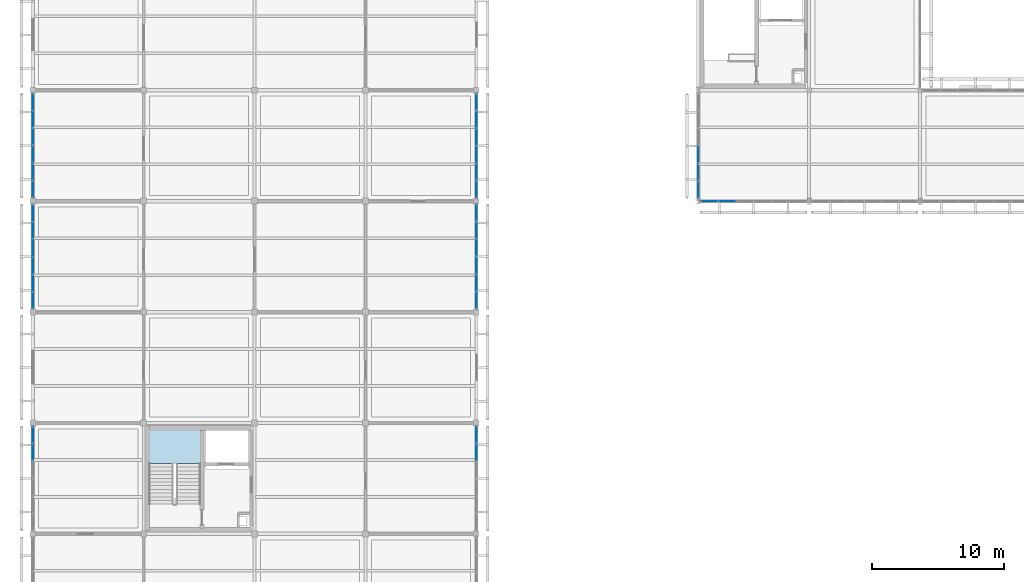
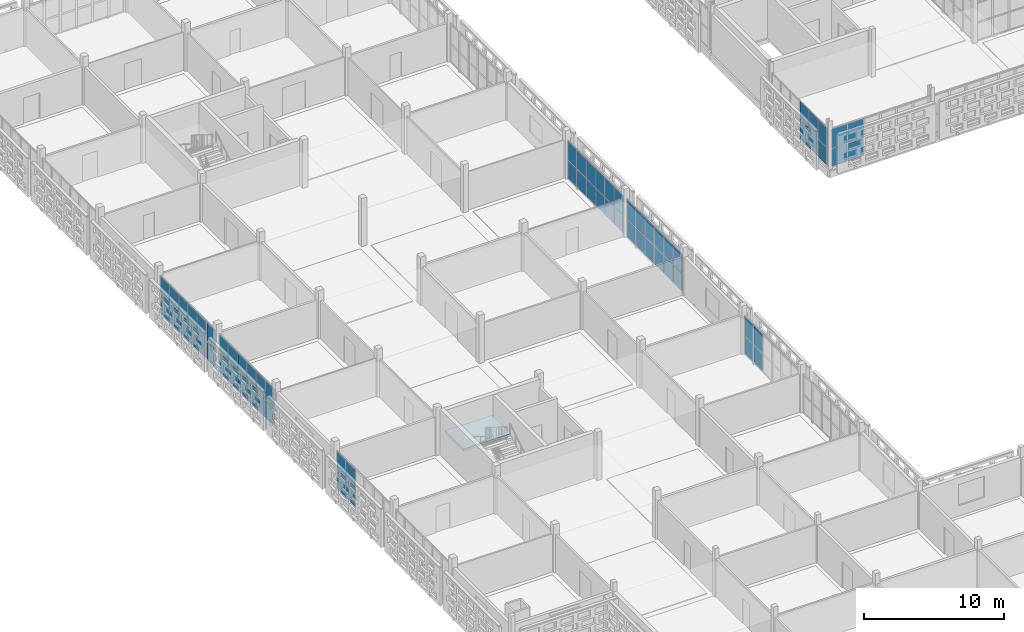
# One storey, part 73 of 140: 66 plates, 1 slab, 9 elements without a shape of their own.
"""IFC4 building model written with IfcOpenShell, lengths in metres."""

import ifcopenshell
import ifcopenshell.guid

model = None  # the IFC model being written
_history = None  # IfcOwnerHistory: only IFC2X3 demands one
_inside = {}  # id of a spatial element -> (the spatial element, [elements in it])
_under = {}  # id of a project, library or spatial element -> (it, [spatial elements below it])
_declared = {}  # id of a project -> (the project, [libraries it declares])
_typed = {}  # id of a type object -> (the type object, [elements of that type])
_made_of = {}  # id of a material, layer set ... -> (it, [elements and type objects made of it])


def new_model(schema):
    """Start an empty IFC model of exactly this schema.

    Asked for "IFC4X3", IfcOpenShell would pick the latest addendum, in which some entities
    have other attributes; the version numbers below select the first issue.
    IFC2X3 requires an IfcOwnerHistory on every rooted entity: one is made here for all.
    """
    global model, _history
    if schema == "IFC4X3":
        model = ifcopenshell.file(schema_version=(4, 3, 0, 0))
    else:
        model = ifcopenshell.file(schema=schema)
    _inside.clear()
    _under.clear()
    _declared.clear()
    _typed.clear()
    _made_of.clear()
    _history = None
    if model.schema == "IFC2X3":
        org = make("IfcOrganization", Name="unknown")
        user = make(
            "IfcPersonAndOrganization",
            ThePerson=make("IfcPerson", FamilyName="unknown"),
            TheOrganization=org,
        )
        app = make(
            "IfcApplication",
            ApplicationDeveloper=org,
            Version="unknown",
            ApplicationFullName="unknown",
            ApplicationIdentifier="unknown",
        )
        _history = make(
            "IfcOwnerHistory",
            OwningUser=user,
            OwningApplication=app,
            ChangeAction="ADDED",
            CreationDate=0,
        )
    return model


def make(cls, **values):
    """One entity of the class cls with the attributes given. An attribute that is None is left unset."""
    return model.create_entity(
        cls, **{name: value for name, value in values.items() if value is not None}
    )


def rooted(cls, **values):
    """An entity with a GlobalId (a new one), such as an element, a storey or a relation."""
    return make(cls, GlobalId=ifcopenshell.guid.new(), OwnerHistory=_history, **values)


def si_unit(unit_type, name, prefix=None):
    """IfcSIUnit, for example si_unit("LENGTHUNIT", "METRE", prefix="MILLI")."""
    return make("IfcSIUnit", UnitType=unit_type, Prefix=prefix, Name=name)


def assignment(units):
    """IfcUnitAssignment: the units of a project."""
    return None if units is None else make("IfcUnitAssignment", Units=units)


def point(xyz):
    """IfcCartesianPoint."""
    return None if xyz is None else make("IfcCartesianPoint", Coordinates=xyz)


def direction(xyz):
    """IfcDirection."""
    return None if xyz is None else make("IfcDirection", DirectionRatios=xyz)


def frame(location, z_axis=None, x_axis=None):
    """IfcAxis2Placement3D, a coordinate frame: its origin and axes. An axis left out is left unset."""
    return make(
        "IfcAxis2Placement3D",
        Location=point(location),
        Axis=direction(z_axis),
        RefDirection=direction(x_axis),
    )


def frame_2d(location, x_axis=None):
    """IfcAxis2Placement2D, a coordinate frame in the plane: its origin and x axis."""
    return make(
        "IfcAxis2Placement2D", Location=point(location), RefDirection=direction(x_axis)
    )


def origin():
    """The frame at (0, 0, 0) with its axes left unset."""
    return frame((0.0, 0.0, 0.0))


def origin_2d():
    """The frame at (0, 0) in the plane with its x axis left unset."""
    return frame_2d((0.0, 0.0))


def place(relative_to, where):
    """IfcLocalPlacement: puts the frame where relative to a parent placement (None: the world)."""
    return make(
        "IfcLocalPlacement", PlacementRelTo=relative_to, RelativePlacement=where
    )


def context(
    kind, dimensions, precision=None, world=None, true_north=None, identifier=None
):
    """IfcGeometricRepresentationContext, for example the 3D "Model" context."""
    return make(
        "IfcGeometricRepresentationContext",
        ContextIdentifier=identifier,
        ContextType=kind,
        CoordinateSpaceDimension=dimensions,
        Precision=precision,
        WorldCoordinateSystem=world,
        TrueNorth=true_north,
    )


def subcontext(parent, identifier, kind, view, scale=None):
    """IfcGeometricRepresentationSubContext, for example "Body" below "Model"."""
    return make(
        "IfcGeometricRepresentationSubContext",
        ContextIdentifier=identifier,
        ContextType=kind,
        ParentContext=parent,
        TargetScale=scale,
        TargetView=view,
    )


def project(units=None, contexts=None):
    """IfcProject with its units and contexts."""
    return rooted(
        "IfcProject",
        Name="project",
        RepresentationContexts=contexts,
        UnitsInContext=assignment(units),
    )


def spatial(cls, under=None, at=None, **own):
    """A site, building, storey or space (cls), placed at a placement, below another one or the project."""
    s = rooted(cls, ObjectPlacement=at, **own)
    if under is not None:
        _under.setdefault(under.id(), (under, []))[1].append(s)
    return s


def polyline(points):
    """IfcPolyline through the points."""
    return make("IfcPolyline", Points=[point(p) for p in points])


def profile(cls, at=None, kind="AREA", **sizes):
    """A parametric profile (cls). Its sizes go by their IFC names, for example OverallWidth=200.0."""
    return make(cls, ProfileType=kind, Position=at, **sizes)


def rectangle(**sizes):
    """IfcRectangleProfileDef."""
    return profile("IfcRectangleProfileDef", **sizes)


def outline(outer, holes=None, kind="AREA"):
    """IfcArbitraryClosedProfileDef: a profile drawn as a closed curve; with holes, ...WithVoids."""
    if holes is None:
        return make("IfcArbitraryClosedProfileDef", ProfileType=kind, OuterCurve=outer)
    return make(
        "IfcArbitraryProfileDefWithVoids",
        ProfileType=kind,
        OuterCurve=outer,
        InnerCurves=holes,
    )


def extrude(swept, where, along, depth):
    """IfcExtrudedAreaSolid: the profile swept, set in the frame where, extruded along a direction by depth."""
    return make(
        "IfcExtrudedAreaSolid",
        SweptArea=swept,
        Position=where,
        ExtrudedDirection=direction(along),
        Depth=depth,
    )


def shape(context_of_items, identifier, shape_type, items):
    """IfcShapeRepresentation: the items that make up one representation, for example the "Body"."""
    return make(
        "IfcShapeRepresentation",
        ContextOfItems=context_of_items,
        RepresentationIdentifier=identifier,
        RepresentationType=shape_type,
        Items=items,
    )


def material(Name=None, Category=None):
    """IfcMaterial."""
    return make("IfcMaterial", Name=Name, Category=Category)


def layer(
    of_material, thickness, ventilated=None, Name=None, Category=None, Priority=None
):
    """IfcMaterialLayer: one layer of a wall or slab, of a material (None: an air gap)."""
    return make(
        "IfcMaterialLayer",
        Material=of_material,
        LayerThickness=thickness,
        IsVentilated=ventilated,
        Name=Name,
        Category=Category,
        Priority=Priority,
    )


def layer_set(layers, Name=None):
    """IfcMaterialLayerSet."""
    return make("IfcMaterialLayerSet", MaterialLayers=layers, LayerSetName=Name)


def made_of(thing, what):
    """Note that an element or type object is made of a material, layer set ...; save() writes the relation."""
    if what is not None:
        _made_of.setdefault(what.id(), (what, []))[1].append(thing)
    return thing


def type_object(cls, material=None, **own):
    """A type object (cls), such as IfcWallType, which elements share."""
    return made_of(rooted(cls, **own), material)


def element(
    cls,
    number,
    at=None,
    inside=None,
    cuts=None,
    type_object=None,
    material=None,
    context=None,
    identifier="Body",
    shape_type=None,
    held_by="IfcProductDefinitionShape",
    body=None,
    shapes=None,
    **own,
):
    """One element of the class cls, such as IfcWall. Its Tag is "e" and its number.

    at: its placement. inside: the storey or other place that contains it. cuts: it is an
    opening in that element (IfcRelVoidsElement). A single representation is given by context,
    identifier, shape_type and body (its items); several are given by shapes. held_by: the class
    of the entity that holds the representations. save() writes the other relations.
    """
    e = rooted(cls, Tag="e%d" % number, ObjectPlacement=at, **own)
    if body is not None:
        shapes = [shape(context, identifier, shape_type, body)]
    if shapes is not None:
        e.Representation = make(held_by, Representations=shapes)
    if inside is not None:
        _inside.setdefault(inside.id(), (inside, []))[1].append(e)
    if cuts is not None:
        rooted(
            "IfcRelVoidsElement", RelatingBuildingElement=cuts, RelatedOpeningElement=e
        )
    if type_object is not None:
        _typed.setdefault(type_object.id(), (type_object, []))[1].append(e)
    return made_of(e, material)


def aggregate(whole, parts):
    """IfcRelAggregates: a whole, such as a stair, and the parts it consists of."""
    return rooted("IfcRelAggregates", RelatingObject=whole, RelatedObjects=parts)


def save(model, path):
    """Write the relations noted so far, then the file.

    IfcRelAggregates (storeys below a building ...), IfcRelContainedInSpatialStructure (elements
    in a storey), IfcRelDefinesByType, IfcRelAssociatesMaterial and IfcRelDeclares: one each for
    every whole, place, type object, material and project.
    """
    for whole, parts in _under.values():
        aggregate(whole, parts)
    for where, things in _inside.values():
        rooted(
            "IfcRelContainedInSpatialStructure",
            RelatedElements=things,
            RelatingStructure=where,
        )
    for kind, things in _typed.values():
        rooted("IfcRelDefinesByType", RelatedObjects=things, RelatingType=kind)
    for what, things in _made_of.values():
        rooted("IfcRelAssociatesMaterial", RelatedObjects=things, RelatingMaterial=what)
    for by, libraries in _declared.values():
        rooted("IfcRelDeclares", RelatingContext=by, RelatedDefinitions=libraries)
    model.write(path)


model = new_model("IFC4")

# Units and contexts
model_context = context("Model", 3, precision=1e-05, world=origin(), true_north=direction((0.0, 1.0)))
body_context = subcontext(model_context, "Body", "Model", "MODEL_VIEW")
ifc_project = project(units=[si_unit("LENGTHUNIT", "METRE"), si_unit("AREAUNIT", "SQUARE_METRE"), si_unit("VOLUMEUNIT", "CUBIC_METRE"), si_unit("PLANEANGLEUNIT", "RADIAN"), si_unit("MASSUNIT", "GRAM", prefix="KILO")], contexts=[model_context])

# Site, building, storey
site_placement = place(None, origin())
site = spatial("IfcSite", under=ifc_project, at=site_placement, CompositionType="ELEMENT")
building_placement = place(site_placement, origin())
building = spatial("IfcBuilding", under=site, at=building_placement, Name="Varnapada Polytechnic", CompositionType="ELEMENT")
storey_placement = place(building_placement, frame((0.0, 0.0, 13.800048828125)))
storey = spatial("IfcBuildingStorey", under=building, at=storey_placement, Name="L03", CompositionType="ELEMENT", Elevation=13.800048828125)

# Curtain wall, plates
ifc_material_1 = material(Name="Double low-E laminated glass", Category="glass")
ifc_layer_1 = layer(ifc_material_1, 0.159912109375)
ifc_layer_set_1 = layer_set([ifc_layer_1], Name="Double low-E laminated glass")
curtain_wall_type_1 = type_object("IfcCurtainWallType", Name="Curtain Wall CW-01", PredefinedType="NOTDEFINED", material=ifc_layer_set_1)
curtain_wall_1_placement = place(storey_placement, origin())
curtain_wall_1 = element("IfcCurtainWall", 1, at=curtain_wall_1_placement, inside=storey, type_object=curtain_wall_type_1, Name="L03 unitised curtain wall CW-01 (225)", PredefinedType="NOTDEFINED")
ifc_layer_2 = layer(ifc_material_1, 0.028076171875)
ifc_layer_set_2 = layer_set([ifc_layer_2], Name="Double low-E laminated glass")
plate_type_1 = type_object("IfcPlateType", Name="Curtain Panel PNL-01", PredefinedType="CURTAIN_PANEL", material=ifc_layer_set_2)
plate_1_placement = place(storey_placement, frame((52.574951171875, 84.0, 0.06005859375), z_axis=(0.0, 0.0, 1.0), x_axis=(-1.0, 0.0, 0.0)))
plate_1 = element("IfcPlate", 2, at=plate_1_placement, type_object=plate_type_1, Name="CW-01 panel 5.1", PredefinedType="CURTAIN_PANEL", context=body_context, shape_type="SweptSolid", body=[
    extrude(rectangle(XDim=1.2900390625, YDim=0.028076171875, at=origin_2d()), origin(), (0.0, 0.0, 1.0), 1.522705078125),
])
plate_2_placement = place(storey_placement, frame((52.574951171875, 84.0, 1.642822265625), z_axis=(0.0, 0.0, 1.0), x_axis=(-1.0, 0.0, 0.0)))
plate_2 = element("IfcPlate", 3, at=plate_2_placement, type_object=plate_type_1, Name="CW-01 panel 5.2", PredefinedType="CURTAIN_PANEL", context=body_context, shape_type="SweptSolid", body=[
    extrude(rectangle(XDim=1.2900390625, YDim=0.028076171875, at=origin_2d()), origin(), (0.0, 0.0, 1.0), 1.6572265625),
])
plate_3_placement = place(storey_placement, frame((51.239990234375, 84.0, 0.06005859375), z_axis=(0.0, 0.0, 1.0), x_axis=(-1.0, 0.0, 0.0)))
plate_3 = element("IfcPlate", 4, at=plate_3_placement, type_object=plate_type_1, Name="CW-01 panel 6.1", PredefinedType="CURTAIN_PANEL", context=body_context, shape_type="SweptSolid", body=[
    extrude(rectangle(XDim=1.260009765625, YDim=0.028076171875, at=origin_2d()), origin(), (0.0, 0.0, 1.0), 1.522705078125),
])
plate_4_placement = place(storey_placement, frame((51.239990234375, 84.0, 1.642822265625), z_axis=(0.0, 0.0, 1.0), x_axis=(-1.0, 0.0, 0.0)))
plate_4 = element("IfcPlate", 5, at=plate_4_placement, type_object=plate_type_1, Name="CW-01 panel 6.2", PredefinedType="CURTAIN_PANEL", context=body_context, shape_type="SweptSolid", body=[
    extrude(rectangle(XDim=1.260009765625, YDim=0.028076171875, at=origin_2d()), origin(), (0.0, 0.0, 1.0), 1.6572265625),
])
aggregate(curtain_wall_1, [plate_1, plate_2, plate_3, plate_4])

ifc_layer_3 = layer(ifc_material_1, 0.159912109375)
ifc_layer_set_3 = layer_set([ifc_layer_3], Name="Double low-E laminated glass")
curtain_wall_type_2 = type_object("IfcCurtainWallType", Name="Curtain Wall CW-02", PredefinedType="NOTDEFINED", material=ifc_layer_set_3)
curtain_wall_2_placement = place(storey_placement, origin())
curtain_wall_2 = element("IfcCurtainWall", 6, at=curtain_wall_2_placement, inside=storey, type_object=curtain_wall_type_2, Name="L03 unitised curtain wall CW-02 (226)", PredefinedType="NOTDEFINED")
plate_5_placement = place(storey_placement, frame((50.39990234375, 84.879638671875, 0.06005859375), z_axis=(0.0, 0.0, 1.0), x_axis=(0.0, 1.0, 0.0)))
plate_5 = element("IfcPlate", 7, at=plate_5_placement, type_object=plate_type_1, Name="CW-02 panel 1.1", PredefinedType="CURTAIN_PANEL", context=body_context, shape_type="SweptSolid", body=[
    extrude(rectangle(XDim=1.2392578125, YDim=0.028076171875, at=origin_2d()), origin(), (0.0, 0.0, 1.0), 1.522705078125),
])
plate_6_placement = place(storey_placement, frame((50.39990234375, 84.879638671875, 1.642822265625), z_axis=(0.0, 0.0, 1.0), x_axis=(0.0, 1.0, 0.0)))
plate_6 = element("IfcPlate", 8, at=plate_6_placement, type_object=plate_type_1, Name="CW-02 panel 1.2", PredefinedType="CURTAIN_PANEL", context=body_context, shape_type="SweptSolid", body=[
    extrude(rectangle(XDim=1.2392578125, YDim=0.028076171875, at=origin_2d()), origin(), (0.0, 0.0, 1.0), 1.6572265625),
])
plate_7_placement = place(storey_placement, frame((50.39990234375, 86.19384765625, 0.06005859375), z_axis=(0.0, 0.0, 1.0), x_axis=(0.0, 1.0, 0.0)))
plate_7 = element("IfcPlate", 9, at=plate_7_placement, type_object=plate_type_1, Name="CW-02 panel 2.1", PredefinedType="CURTAIN_PANEL", context=body_context, shape_type="SweptSolid", body=[
    extrude(rectangle(XDim=1.269287109375, YDim=0.028076171875, at=origin_2d()), origin(), (0.0, 0.0, 1.0), 1.522705078125),
])
plate_8_placement = place(storey_placement, frame((50.39990234375, 86.19384765625, 1.642822265625), z_axis=(0.0, 0.0, 1.0), x_axis=(0.0, 1.0, 0.0)))
plate_8 = element("IfcPlate", 10, at=plate_8_placement, type_object=plate_type_1, Name="CW-02 panel 2.2", PredefinedType="CURTAIN_PANEL", context=body_context, shape_type="SweptSolid", body=[
    extrude(rectangle(XDim=1.269287109375, YDim=0.028076171875, at=origin_2d()), origin(), (0.0, 0.0, 1.0), 1.6572265625),
])
plate_9_placement = place(storey_placement, frame((50.39990234375, 87.52294921875, 0.06005859375), z_axis=(0.0, 0.0, 1.0), x_axis=(0.0, 1.0, 0.0)))
plate_9 = element("IfcPlate", 11, at=plate_9_placement, type_object=plate_type_1, Name="CW-02 panel 3.1", PredefinedType="CURTAIN_PANEL", context=body_context, shape_type="SweptSolid", body=[
    extrude(rectangle(XDim=1.269287109375, YDim=0.028076171875, at=origin_2d()), origin(), (0.0, 0.0, 1.0), 1.522705078125),
])
plate_10_placement = place(storey_placement, frame((50.39990234375, 87.52294921875, 1.642822265625), z_axis=(0.0, 0.0, 1.0), x_axis=(0.0, 1.0, 0.0)))
plate_10 = element("IfcPlate", 12, at=plate_10_placement, type_object=plate_type_1, Name="CW-02 panel 3.2", PredefinedType="CURTAIN_PANEL", context=body_context, shape_type="SweptSolid", body=[
    extrude(rectangle(XDim=1.269287109375, YDim=0.028076171875, at=origin_2d()), origin(), (0.0, 0.0, 1.0), 1.6572265625),
])
aggregate(curtain_wall_2, [plate_5, plate_6, plate_7, plate_8, plate_9, plate_10])

ifc_layer_4 = layer(ifc_material_1, 0.179931640625)
ifc_layer_set_4 = layer_set([ifc_layer_4], Name="Double low-E laminated glass")
curtain_wall_type_3 = type_object("IfcCurtainWallType", Name="Curtain Wall CW-03", PredefinedType="NOTDEFINED", material=ifc_layer_set_4)
curtain_wall_3_placement = place(storey_placement, origin())
curtain_wall_3 = element("IfcCurtainWall", 13, at=curtain_wall_3_placement, inside=storey, type_object=curtain_wall_type_3, Name="L03 unitised curtain wall CW-03 (206)", PredefinedType="NOTDEFINED")
ifc_layer_5 = layer(ifc_material_1, 0.031982421875)
ifc_layer_set_5 = layer_set([ifc_layer_5], Name="Double low-E laminated glass")
plate_type_2 = type_object("IfcPlateType", Name="Curtain Panel PNL-02", PredefinedType="CURTAIN_PANEL", material=ifc_layer_set_5)
plate_11_placement = place(storey_placement, frame((0.0, 64.982421875, 0.06494140625), z_axis=(0.0, 0.0, 1.0), x_axis=(0.0, 1.0, 0.0)))
plate_11 = element("IfcPlate", 14, at=plate_11_placement, type_object=plate_type_2, Name="CW-03 panel 5.1", PredefinedType="CURTAIN_PANEL", context=body_context, shape_type="SweptSolid", body=[
    extrude(rectangle(XDim=1.260009765625, YDim=0.031982421875, at=origin_2d()), origin(), (0.0, 0.0, 1.0), 1.515380859375),
])
plate_12_placement = place(storey_placement, frame((0.0, 64.982421875, 1.6455078125), z_axis=(0.0, 0.0, 1.0), x_axis=(0.0, 1.0, 0.0)))
plate_12 = element("IfcPlate", 15, at=plate_12_placement, type_object=plate_type_2, Name="CW-03 panel 5.2", PredefinedType="CURTAIN_PANEL", context=body_context, shape_type="SweptSolid", body=[
    extrude(rectangle(XDim=1.260009765625, YDim=0.031982421875, at=origin_2d()), origin(), (0.0, 0.0, 1.0), 1.649658203125),
])
plate_13_placement = place(storey_placement, frame((0.0, 66.291259765625, 0.06494140625), z_axis=(0.0, 0.0, 1.0), x_axis=(0.0, 1.0, 0.0)))
plate_13 = element("IfcPlate", 16, at=plate_13_placement, type_object=plate_type_2, Name="CW-03 panel 6.1", PredefinedType="CURTAIN_PANEL", context=body_context, shape_type="SweptSolid", body=[
    extrude(rectangle(XDim=1.2275390625, YDim=0.031982421875, at=origin_2d()), origin(), (0.0, 0.0, 1.0), 1.515380859375),
])
plate_14_placement = place(storey_placement, frame((0.0, 66.291259765625, 1.6455078125), z_axis=(0.0, 0.0, 1.0), x_axis=(0.0, 1.0, 0.0)))
plate_14 = element("IfcPlate", 17, at=plate_14_placement, type_object=plate_type_2, Name="CW-03 panel 6.2", PredefinedType="CURTAIN_PANEL", context=body_context, shape_type="SweptSolid", body=[
    extrude(rectangle(XDim=1.2275390625, YDim=0.031982421875, at=origin_2d()), origin(), (0.0, 0.0, 1.0), 1.649658203125),
])
aggregate(curtain_wall_3, [plate_11, plate_12, plate_13, plate_14])

curtain_wall_4_placement = place(storey_placement, origin())
curtain_wall_4 = element("IfcCurtainWall", 18, at=curtain_wall_4_placement, inside=storey, type_object=curtain_wall_type_3, Name="L03 unitised curtain wall CW-03 (207)", PredefinedType="NOTDEFINED")
plate_15_placement = place(storey_placement, frame((0.0, 76.498779296875, 0.06494140625), z_axis=(0.0, 0.0, 1.0), x_axis=(0.0, 1.0, 0.0)))
plate_15 = element("IfcPlate", 19, at=plate_15_placement, type_object=plate_type_2, Name="CW-03 panel 1.1", PredefinedType="CURTAIN_PANEL", context=body_context, shape_type="SweptSolid", body=[
    extrude(rectangle(XDim=1.2275390625, YDim=0.031982421875, at=origin_2d()), origin(), (0.0, 0.0, 1.0), 1.515380859375),
])
plate_16_placement = place(storey_placement, frame((0.0, 76.498779296875, 1.6455078125), z_axis=(0.0, 0.0, 1.0), x_axis=(0.0, 1.0, 0.0)))
plate_16 = element("IfcPlate", 20, at=plate_16_placement, type_object=plate_type_2, Name="CW-03 panel 1.2", PredefinedType="CURTAIN_PANEL", context=body_context, shape_type="SweptSolid", body=[
    extrude(rectangle(XDim=1.2275390625, YDim=0.031982421875, at=origin_2d()), origin(), (0.0, 0.0, 1.0), 1.649658203125),
])
plate_17_placement = place(storey_placement, frame((0.0, 77.8076171875, 0.06494140625), z_axis=(0.0, 0.0, 1.0), x_axis=(0.0, 1.0, 0.0)))
plate_17 = element("IfcPlate", 21, at=plate_17_placement, type_object=plate_type_2, Name="CW-03 panel 2.1", PredefinedType="CURTAIN_PANEL", context=body_context, shape_type="SweptSolid", body=[
    extrude(rectangle(XDim=1.260009765625, YDim=0.031982421875, at=origin_2d()), origin(), (0.0, 0.0, 1.0), 1.515380859375),
])
plate_18_placement = place(storey_placement, frame((0.0, 77.8076171875, 1.6455078125), z_axis=(0.0, 0.0, 1.0), x_axis=(0.0, 1.0, 0.0)))
plate_18 = element("IfcPlate", 22, at=plate_18_placement, type_object=plate_type_2, Name="CW-03 panel 2.2", PredefinedType="CURTAIN_PANEL", context=body_context, shape_type="SweptSolid", body=[
    extrude(rectangle(XDim=1.260009765625, YDim=0.031982421875, at=origin_2d()), origin(), (0.0, 0.0, 1.0), 1.649658203125),
])
plate_19_placement = place(storey_placement, frame((0.0, 79.132568359375, 0.06494140625), z_axis=(0.0, 0.0, 1.0), x_axis=(0.0, 1.0, 0.0)))
plate_19 = element("IfcPlate", 23, at=plate_19_placement, type_object=plate_type_2, Name="CW-03 panel 3.1", PredefinedType="CURTAIN_PANEL", context=body_context, shape_type="SweptSolid", body=[
    extrude(rectangle(XDim=1.260009765625, YDim=0.031982421875, at=origin_2d()), origin(), (0.0, 0.0, 1.0), 1.515380859375),
])
plate_20_placement = place(storey_placement, frame((0.0, 79.132568359375, 1.6455078125), z_axis=(0.0, 0.0, 1.0), x_axis=(0.0, 1.0, 0.0)))
plate_20 = element("IfcPlate", 24, at=plate_20_placement, type_object=plate_type_2, Name="CW-03 panel 3.2", PredefinedType="CURTAIN_PANEL", context=body_context, shape_type="SweptSolid", body=[
    extrude(rectangle(XDim=1.260009765625, YDim=0.031982421875, at=origin_2d()), origin(), (0.0, 0.0, 1.0), 1.649658203125),
])
plate_21_placement = place(storey_placement, frame((0.0, 80.45751953125, 0.06494140625), z_axis=(0.0, 0.0, 1.0), x_axis=(0.0, 1.0, 0.0)))
plate_21 = element("IfcPlate", 25, at=plate_21_placement, type_object=plate_type_2, Name="CW-03 panel 4.1", PredefinedType="CURTAIN_PANEL", context=body_context, shape_type="SweptSolid", body=[
    extrude(rectangle(XDim=1.260009765625, YDim=0.031982421875, at=origin_2d()), origin(), (0.0, 0.0, 1.0), 1.515380859375),
])
plate_22_placement = place(storey_placement, frame((0.0, 80.45751953125, 1.6455078125), z_axis=(0.0, 0.0, 1.0), x_axis=(0.0, 1.0, 0.0)))
plate_22 = element("IfcPlate", 26, at=plate_22_placement, type_object=plate_type_2, Name="CW-03 panel 4.2", PredefinedType="CURTAIN_PANEL", context=body_context, shape_type="SweptSolid", body=[
    extrude(rectangle(XDim=1.260009765625, YDim=0.031982421875, at=origin_2d()), origin(), (0.0, 0.0, 1.0), 1.649658203125),
])
plate_23_placement = place(storey_placement, frame((0.0, 81.782470703125, 0.06494140625), z_axis=(0.0, 0.0, 1.0), x_axis=(0.0, 1.0, 0.0)))
plate_23 = element("IfcPlate", 27, at=plate_23_placement, type_object=plate_type_2, Name="CW-03 panel 5.1", PredefinedType="CURTAIN_PANEL", context=body_context, shape_type="SweptSolid", body=[
    extrude(rectangle(XDim=1.260009765625, YDim=0.031982421875, at=origin_2d()), origin(), (0.0, 0.0, 1.0), 1.515380859375),
])
plate_24_placement = place(storey_placement, frame((0.0, 81.782470703125, 1.6455078125), z_axis=(0.0, 0.0, 1.0), x_axis=(0.0, 1.0, 0.0)))
plate_24 = element("IfcPlate", 28, at=plate_24_placement, type_object=plate_type_2, Name="CW-03 panel 5.2", PredefinedType="CURTAIN_PANEL", context=body_context, shape_type="SweptSolid", body=[
    extrude(rectangle(XDim=1.260009765625, YDim=0.031982421875, at=origin_2d()), origin(), (0.0, 0.0, 1.0), 1.649658203125),
])
plate_25_placement = place(storey_placement, frame((0.0, 83.09130859375, 0.06494140625), z_axis=(0.0, 0.0, 1.0), x_axis=(0.0, 1.0, 0.0)))
plate_25 = element("IfcPlate", 29, at=plate_25_placement, type_object=plate_type_2, Name="CW-03 panel 6.1", PredefinedType="CURTAIN_PANEL", context=body_context, shape_type="SweptSolid", body=[
    extrude(rectangle(XDim=1.2275390625, YDim=0.031982421875, at=origin_2d()), origin(), (0.0, 0.0, 1.0), 1.515380859375),
])
plate_26_placement = place(storey_placement, frame((0.0, 83.09130859375, 1.6455078125), z_axis=(0.0, 0.0, 1.0), x_axis=(0.0, 1.0, 0.0)))
plate_26 = element("IfcPlate", 30, at=plate_26_placement, type_object=plate_type_2, Name="CW-03 panel 6.2", PredefinedType="CURTAIN_PANEL", context=body_context, shape_type="SweptSolid", body=[
    extrude(rectangle(XDim=1.2275390625, YDim=0.031982421875, at=origin_2d()), origin(), (0.0, 0.0, 1.0), 1.649658203125),
])
aggregate(curtain_wall_4, [plate_15, plate_16, plate_17, plate_18, plate_19, plate_20, plate_21, plate_22, plate_23, plate_24, plate_25, plate_26])

curtain_wall_5_placement = place(storey_placement, origin())
curtain_wall_5 = element("IfcCurtainWall", 31, at=curtain_wall_5_placement, inside=storey, type_object=curtain_wall_type_3, Name="L03 unitised curtain wall CW-03 (208)", PredefinedType="NOTDEFINED")
plate_27_placement = place(storey_placement, frame((0.0, 84.90869140625, 0.06494140625), z_axis=(0.0, 0.0, 1.0), x_axis=(0.0, 1.0, 0.0)))
plate_27 = element("IfcPlate", 32, at=plate_27_placement, type_object=plate_type_2, Name="CW-03 panel 1.1", PredefinedType="CURTAIN_PANEL", context=body_context, shape_type="SweptSolid", body=[
    extrude(rectangle(XDim=1.2275390625, YDim=0.031982421875, at=origin_2d()), origin(), (0.0, 0.0, 1.0), 1.515380859375),
])
plate_28_placement = place(storey_placement, frame((0.0, 84.90869140625, 1.6455078125), z_axis=(0.0, 0.0, 1.0), x_axis=(0.0, 1.0, 0.0)))
plate_28 = element("IfcPlate", 33, at=plate_28_placement, type_object=plate_type_2, Name="CW-03 panel 1.2", PredefinedType="CURTAIN_PANEL", context=body_context, shape_type="SweptSolid", body=[
    extrude(rectangle(XDim=1.2275390625, YDim=0.031982421875, at=origin_2d()), origin(), (0.0, 0.0, 1.0), 1.649658203125),
])
plate_29_placement = place(storey_placement, frame((0.0, 86.217529296875, 0.06494140625), z_axis=(0.0, 0.0, 1.0), x_axis=(0.0, 1.0, 0.0)))
plate_29 = element("IfcPlate", 34, at=plate_29_placement, type_object=plate_type_2, Name="CW-03 panel 2.1", PredefinedType="CURTAIN_PANEL", context=body_context, shape_type="SweptSolid", body=[
    extrude(rectangle(XDim=1.260009765625, YDim=0.031982421875, at=origin_2d()), origin(), (0.0, 0.0, 1.0), 1.515380859375),
])
plate_30_placement = place(storey_placement, frame((0.0, 86.217529296875, 1.6455078125), z_axis=(0.0, 0.0, 1.0), x_axis=(0.0, 1.0, 0.0)))
plate_30 = element("IfcPlate", 35, at=plate_30_placement, type_object=plate_type_2, Name="CW-03 panel 2.2", PredefinedType="CURTAIN_PANEL", context=body_context, shape_type="SweptSolid", body=[
    extrude(rectangle(XDim=1.260009765625, YDim=0.031982421875, at=origin_2d()), origin(), (0.0, 0.0, 1.0), 1.649658203125),
])
plate_31_placement = place(storey_placement, frame((0.0, 87.54248046875, 0.06494140625), z_axis=(0.0, 0.0, 1.0), x_axis=(0.0, 1.0, 0.0)))
plate_31 = element("IfcPlate", 36, at=plate_31_placement, type_object=plate_type_2, Name="CW-03 panel 3.1", PredefinedType="CURTAIN_PANEL", context=body_context, shape_type="SweptSolid", body=[
    extrude(rectangle(XDim=1.260009765625, YDim=0.031982421875, at=origin_2d()), origin(), (0.0, 0.0, 1.0), 1.515380859375),
])
plate_32_placement = place(storey_placement, frame((0.0, 87.54248046875, 1.6455078125), z_axis=(0.0, 0.0, 1.0), x_axis=(0.0, 1.0, 0.0)))
plate_32 = element("IfcPlate", 37, at=plate_32_placement, type_object=plate_type_2, Name="CW-03 panel 3.2", PredefinedType="CURTAIN_PANEL", context=body_context, shape_type="SweptSolid", body=[
    extrude(rectangle(XDim=1.260009765625, YDim=0.031982421875, at=origin_2d()), origin(), (0.0, 0.0, 1.0), 1.649658203125),
])
plate_33_placement = place(storey_placement, frame((0.0, 88.867431640625, 0.06494140625), z_axis=(0.0, 0.0, 1.0), x_axis=(0.0, 1.0, 0.0)))
plate_33 = element("IfcPlate", 38, at=plate_33_placement, type_object=plate_type_2, Name="CW-03 panel 4.1", PredefinedType="CURTAIN_PANEL", context=body_context, shape_type="SweptSolid", body=[
    extrude(rectangle(XDim=1.260009765625, YDim=0.031982421875, at=origin_2d()), origin(), (0.0, 0.0, 1.0), 1.515380859375),
])
plate_34_placement = place(storey_placement, frame((0.0, 88.867431640625, 1.6455078125), z_axis=(0.0, 0.0, 1.0), x_axis=(0.0, 1.0, 0.0)))
plate_34 = element("IfcPlate", 39, at=plate_34_placement, type_object=plate_type_2, Name="CW-03 panel 4.2", PredefinedType="CURTAIN_PANEL", context=body_context, shape_type="SweptSolid", body=[
    extrude(rectangle(XDim=1.260009765625, YDim=0.031982421875, at=origin_2d()), origin(), (0.0, 0.0, 1.0), 1.649658203125),
])
plate_35_placement = place(storey_placement, frame((0.0, 90.1923828125, 0.06494140625), z_axis=(0.0, 0.0, 1.0), x_axis=(0.0, 1.0, 0.0)))
plate_35 = element("IfcPlate", 40, at=plate_35_placement, type_object=plate_type_2, Name="CW-03 panel 5.1", PredefinedType="CURTAIN_PANEL", context=body_context, shape_type="SweptSolid", body=[
    extrude(rectangle(XDim=1.260009765625, YDim=0.031982421875, at=origin_2d()), origin(), (0.0, 0.0, 1.0), 1.515380859375),
])
plate_36_placement = place(storey_placement, frame((0.0, 90.1923828125, 1.6455078125), z_axis=(0.0, 0.0, 1.0), x_axis=(0.0, 1.0, 0.0)))
plate_36 = element("IfcPlate", 41, at=plate_36_placement, type_object=plate_type_2, Name="CW-03 panel 5.2", PredefinedType="CURTAIN_PANEL", context=body_context, shape_type="SweptSolid", body=[
    extrude(rectangle(XDim=1.260009765625, YDim=0.031982421875, at=origin_2d()), origin(), (0.0, 0.0, 1.0), 1.649658203125),
])
plate_37_placement = place(storey_placement, frame((0.0, 91.501220703125, 0.06494140625), z_axis=(0.0, 0.0, 1.0), x_axis=(0.0, 1.0, 0.0)))
plate_37 = element("IfcPlate", 42, at=plate_37_placement, type_object=plate_type_2, Name="CW-03 panel 6.1", PredefinedType="CURTAIN_PANEL", context=body_context, shape_type="SweptSolid", body=[
    extrude(rectangle(XDim=1.2275390625, YDim=0.031982421875, at=origin_2d()), origin(), (0.0, 0.0, 1.0), 1.515380859375),
])
plate_38_placement = place(storey_placement, frame((0.0, 91.501220703125, 1.6455078125), z_axis=(0.0, 0.0, 1.0), x_axis=(0.0, 1.0, 0.0)))
plate_38 = element("IfcPlate", 43, at=plate_38_placement, type_object=plate_type_2, Name="CW-03 panel 6.2", PredefinedType="CURTAIN_PANEL", context=body_context, shape_type="SweptSolid", body=[
    extrude(rectangle(XDim=1.2275390625, YDim=0.031982421875, at=origin_2d()), origin(), (0.0, 0.0, 1.0), 1.649658203125),
])
aggregate(curtain_wall_5, [plate_27, plate_28, plate_29, plate_30, plate_31, plate_32, plate_33, plate_34, plate_35, plate_36, plate_37, plate_38])

curtain_wall_6_placement = place(storey_placement, origin())
curtain_wall_6 = element("IfcCurtainWall", 44, at=curtain_wall_6_placement, inside=storey, type_object=curtain_wall_type_3, Name="L03 unitised curtain wall CW-03 (218)", PredefinedType="NOTDEFINED")
plate_39_placement = place(storey_placement, frame((33.60009765625, 66.308837890625, 0.06494140625), z_axis=(0.0, 0.0, 1.0), x_axis=(0.0, -1.0, 0.0)))
plate_39 = element("IfcPlate", 45, at=plate_39_placement, type_object=plate_type_2, Name="CW-03 panel 1.1", PredefinedType="CURTAIN_PANEL", context=body_context, shape_type="SweptSolid", body=[
    extrude(rectangle(XDim=1.232421875, YDim=0.031982421875, at=origin_2d()), origin(), (0.0, 0.0, 1.0), 1.515380859375),
])
plate_40_placement = place(storey_placement, frame((33.60009765625, 66.308837890625, 1.6455078125), z_axis=(0.0, 0.0, 1.0), x_axis=(0.0, -1.0, 0.0)))
plate_40 = element("IfcPlate", 46, at=plate_40_placement, type_object=plate_type_2, Name="CW-03 panel 1.2", PredefinedType="CURTAIN_PANEL", context=body_context, shape_type="SweptSolid", body=[
    extrude(rectangle(XDim=1.232421875, YDim=0.031982421875, at=origin_2d()), origin(), (0.0, 0.0, 1.0), 1.649658203125),
])
plate_41_placement = place(storey_placement, frame((33.60009765625, 64.9951171875, 0.06494140625), z_axis=(0.0, 0.0, 1.0), x_axis=(0.0, -1.0, 0.0)))
plate_41 = element("IfcPlate", 47, at=plate_41_placement, type_object=plate_type_2, Name="CW-03 panel 2.1", PredefinedType="CURTAIN_PANEL", context=body_context, shape_type="SweptSolid", body=[
    extrude(rectangle(XDim=1.264892578125, YDim=0.031982421875, at=origin_2d()), origin(), (0.0, 0.0, 1.0), 1.515380859375),
])
plate_42_placement = place(storey_placement, frame((33.60009765625, 64.9951171875, 1.6455078125), z_axis=(0.0, 0.0, 1.0), x_axis=(0.0, -1.0, 0.0)))
plate_42 = element("IfcPlate", 48, at=plate_42_placement, type_object=plate_type_2, Name="CW-03 panel 2.2", PredefinedType="CURTAIN_PANEL", context=body_context, shape_type="SweptSolid", body=[
    extrude(rectangle(XDim=1.264892578125, YDim=0.031982421875, at=origin_2d()), origin(), (0.0, 0.0, 1.0), 1.649658203125),
])
aggregate(curtain_wall_6, [plate_39, plate_40, plate_41, plate_42])

curtain_wall_7_placement = place(storey_placement, origin())
curtain_wall_7 = element("IfcCurtainWall", 49, at=curtain_wall_7_placement, inside=storey, type_object=curtain_wall_type_3, Name="L03 unitised curtain wall CW-03 (219)", PredefinedType="NOTDEFINED")
plate_43_placement = place(storey_placement, frame((33.60009765625, 83.108642578125, 0.06494140625), z_axis=(0.0, 0.0, 1.0), x_axis=(0.0, -1.0, 0.0)))
plate_43 = element("IfcPlate", 50, at=plate_43_placement, type_object=plate_type_2, Name="CW-03 panel 1.1", PredefinedType="CURTAIN_PANEL", context=body_context, shape_type="SweptSolid", body=[
    extrude(rectangle(XDim=1.232421875, YDim=0.031982421875, at=origin_2d()), origin(), (0.0, 0.0, 1.0), 1.515380859375),
])
plate_44_placement = place(storey_placement, frame((33.60009765625, 83.108642578125, 1.6455078125), z_axis=(0.0, 0.0, 1.0), x_axis=(0.0, -1.0, 0.0)))
plate_44 = element("IfcPlate", 51, at=plate_44_placement, type_object=plate_type_2, Name="CW-03 panel 1.2", PredefinedType="CURTAIN_PANEL", context=body_context, shape_type="SweptSolid", body=[
    extrude(rectangle(XDim=1.232421875, YDim=0.031982421875, at=origin_2d()), origin(), (0.0, 0.0, 1.0), 1.649658203125),
])
plate_45_placement = place(storey_placement, frame((33.60009765625, 81.794921875, 0.06494140625), z_axis=(0.0, 0.0, 1.0), x_axis=(0.0, -1.0, 0.0)))
plate_45 = element("IfcPlate", 52, at=plate_45_placement, type_object=plate_type_2, Name="CW-03 panel 2.1", PredefinedType="CURTAIN_PANEL", context=body_context, shape_type="SweptSolid", body=[
    extrude(rectangle(XDim=1.264892578125, YDim=0.031982421875, at=origin_2d()), origin(), (0.0, 0.0, 1.0), 1.515380859375),
])
plate_46_placement = place(storey_placement, frame((33.60009765625, 81.794921875, 1.6455078125), z_axis=(0.0, 0.0, 1.0), x_axis=(0.0, -1.0, 0.0)))
plate_46 = element("IfcPlate", 53, at=plate_46_placement, type_object=plate_type_2, Name="CW-03 panel 2.2", PredefinedType="CURTAIN_PANEL", context=body_context, shape_type="SweptSolid", body=[
    extrude(rectangle(XDim=1.264892578125, YDim=0.031982421875, at=origin_2d()), origin(), (0.0, 0.0, 1.0), 1.649658203125),
])
plate_47_placement = place(storey_placement, frame((33.60009765625, 80.465087890625, 0.06494140625), z_axis=(0.0, 0.0, 1.0), x_axis=(0.0, -1.0, 0.0)))
plate_47 = element("IfcPlate", 54, at=plate_47_placement, type_object=plate_type_2, Name="CW-03 panel 3.1", PredefinedType="CURTAIN_PANEL", context=body_context, shape_type="SweptSolid", body=[
    extrude(rectangle(XDim=1.264892578125, YDim=0.031982421875, at=origin_2d()), origin(), (0.0, 0.0, 1.0), 1.515380859375),
])
plate_48_placement = place(storey_placement, frame((33.60009765625, 80.465087890625, 1.6455078125), z_axis=(0.0, 0.0, 1.0), x_axis=(0.0, -1.0, 0.0)))
plate_48 = element("IfcPlate", 55, at=plate_48_placement, type_object=plate_type_2, Name="CW-03 panel 3.2", PredefinedType="CURTAIN_PANEL", context=body_context, shape_type="SweptSolid", body=[
    extrude(rectangle(XDim=1.264892578125, YDim=0.031982421875, at=origin_2d()), origin(), (0.0, 0.0, 1.0), 1.649658203125),
])
plate_49_placement = place(storey_placement, frame((33.60009765625, 79.135009765625, 0.06494140625), z_axis=(0.0, 0.0, 1.0), x_axis=(0.0, -1.0, 0.0)))
plate_49 = element("IfcPlate", 56, at=plate_49_placement, type_object=plate_type_2, Name="CW-03 panel 4.1", PredefinedType="CURTAIN_PANEL", context=body_context, shape_type="SweptSolid", body=[
    extrude(rectangle(XDim=1.264892578125, YDim=0.031982421875, at=origin_2d()), origin(), (0.0, 0.0, 1.0), 1.515380859375),
])
plate_50_placement = place(storey_placement, frame((33.60009765625, 79.135009765625, 1.6455078125), z_axis=(0.0, 0.0, 1.0), x_axis=(0.0, -1.0, 0.0)))
plate_50 = element("IfcPlate", 57, at=plate_50_placement, type_object=plate_type_2, Name="CW-03 panel 4.2", PredefinedType="CURTAIN_PANEL", context=body_context, shape_type="SweptSolid", body=[
    extrude(rectangle(XDim=1.264892578125, YDim=0.031982421875, at=origin_2d()), origin(), (0.0, 0.0, 1.0), 1.649658203125),
])
plate_51_placement = place(storey_placement, frame((33.60009765625, 77.804931640625, 0.06494140625), z_axis=(0.0, 0.0, 1.0), x_axis=(0.0, -1.0, 0.0)))
plate_51 = element("IfcPlate", 58, at=plate_51_placement, type_object=plate_type_2, Name="CW-03 panel 5.1", PredefinedType="CURTAIN_PANEL", context=body_context, shape_type="SweptSolid", body=[
    extrude(rectangle(XDim=1.264892578125, YDim=0.031982421875, at=origin_2d()), origin(), (0.0, 0.0, 1.0), 1.515380859375),
])
plate_52_placement = place(storey_placement, frame((33.60009765625, 77.804931640625, 1.6455078125), z_axis=(0.0, 0.0, 1.0), x_axis=(0.0, -1.0, 0.0)))
plate_52 = element("IfcPlate", 59, at=plate_52_placement, type_object=plate_type_2, Name="CW-03 panel 5.2", PredefinedType="CURTAIN_PANEL", context=body_context, shape_type="SweptSolid", body=[
    extrude(rectangle(XDim=1.264892578125, YDim=0.031982421875, at=origin_2d()), origin(), (0.0, 0.0, 1.0), 1.649658203125),
])
plate_53_placement = place(storey_placement, frame((33.60009765625, 76.4912109375, 0.06494140625), z_axis=(0.0, 0.0, 1.0), x_axis=(0.0, -1.0, 0.0)))
plate_53 = element("IfcPlate", 60, at=plate_53_placement, type_object=plate_type_2, Name="CW-03 panel 6.1", PredefinedType="CURTAIN_PANEL", context=body_context, shape_type="SweptSolid", body=[
    extrude(rectangle(XDim=1.232421875, YDim=0.031982421875, at=origin_2d()), origin(), (0.0, 0.0, 1.0), 1.515380859375),
])
plate_54_placement = place(storey_placement, frame((33.60009765625, 76.4912109375, 1.6455078125), z_axis=(0.0, 0.0, 1.0), x_axis=(0.0, -1.0, 0.0)))
plate_54 = element("IfcPlate", 61, at=plate_54_placement, type_object=plate_type_2, Name="CW-03 panel 6.2", PredefinedType="CURTAIN_PANEL", context=body_context, shape_type="SweptSolid", body=[
    extrude(rectangle(XDim=1.232421875, YDim=0.031982421875, at=origin_2d()), origin(), (0.0, 0.0, 1.0), 1.649658203125),
])
aggregate(curtain_wall_7, [plate_43, plate_44, plate_45, plate_46, plate_47, plate_48, plate_49, plate_50, plate_51, plate_52, plate_53, plate_54])

curtain_wall_8_placement = place(storey_placement, origin())
curtain_wall_8 = element("IfcCurtainWall", 62, at=curtain_wall_8_placement, inside=storey, type_object=curtain_wall_type_3, Name="L03 unitised curtain wall CW-03 (220)", PredefinedType="NOTDEFINED")
plate_55_placement = place(storey_placement, frame((33.60009765625, 91.5087890625, 0.06494140625), z_axis=(0.0, 0.0, 1.0), x_axis=(0.0, -1.0, 0.0)))
plate_55 = element("IfcPlate", 63, at=plate_55_placement, type_object=plate_type_2, Name="CW-03 panel 1.1", PredefinedType="CURTAIN_PANEL", context=body_context, shape_type="SweptSolid", body=[
    extrude(rectangle(XDim=1.232421875, YDim=0.031982421875, at=origin_2d()), origin(), (0.0, 0.0, 1.0), 1.515380859375),
])
plate_56_placement = place(storey_placement, frame((33.60009765625, 91.5087890625, 1.6455078125), z_axis=(0.0, 0.0, 1.0), x_axis=(0.0, -1.0, 0.0)))
plate_56 = element("IfcPlate", 64, at=plate_56_placement, type_object=plate_type_2, Name="CW-03 panel 1.2", PredefinedType="CURTAIN_PANEL", context=body_context, shape_type="SweptSolid", body=[
    extrude(rectangle(XDim=1.232421875, YDim=0.031982421875, at=origin_2d()), origin(), (0.0, 0.0, 1.0), 1.649658203125),
])
plate_57_placement = place(storey_placement, frame((33.60009765625, 90.195068359375, 0.06494140625), z_axis=(0.0, 0.0, 1.0), x_axis=(0.0, -1.0, 0.0)))
plate_57 = element("IfcPlate", 65, at=plate_57_placement, type_object=plate_type_2, Name="CW-03 panel 2.1", PredefinedType="CURTAIN_PANEL", context=body_context, shape_type="SweptSolid", body=[
    extrude(rectangle(XDim=1.264892578125, YDim=0.031982421875, at=origin_2d()), origin(), (0.0, 0.0, 1.0), 1.515380859375),
])
plate_58_placement = place(storey_placement, frame((33.60009765625, 90.195068359375, 1.6455078125), z_axis=(0.0, 0.0, 1.0), x_axis=(0.0, -1.0, 0.0)))
plate_58 = element("IfcPlate", 66, at=plate_58_placement, type_object=plate_type_2, Name="CW-03 panel 2.2", PredefinedType="CURTAIN_PANEL", context=body_context, shape_type="SweptSolid", body=[
    extrude(rectangle(XDim=1.264892578125, YDim=0.031982421875, at=origin_2d()), origin(), (0.0, 0.0, 1.0), 1.649658203125),
])
plate_59_placement = place(storey_placement, frame((33.60009765625, 88.864990234375, 0.06494140625), z_axis=(0.0, 0.0, 1.0), x_axis=(0.0, -1.0, 0.0)))
plate_59 = element("IfcPlate", 67, at=plate_59_placement, type_object=plate_type_2, Name="CW-03 panel 3.1", PredefinedType="CURTAIN_PANEL", context=body_context, shape_type="SweptSolid", body=[
    extrude(rectangle(XDim=1.264892578125, YDim=0.031982421875, at=origin_2d()), origin(), (0.0, 0.0, 1.0), 1.515380859375),
])
plate_60_placement = place(storey_placement, frame((33.60009765625, 88.864990234375, 1.6455078125), z_axis=(0.0, 0.0, 1.0), x_axis=(0.0, -1.0, 0.0)))
plate_60 = element("IfcPlate", 68, at=plate_60_placement, type_object=plate_type_2, Name="CW-03 panel 3.2", PredefinedType="CURTAIN_PANEL", context=body_context, shape_type="SweptSolid", body=[
    extrude(rectangle(XDim=1.264892578125, YDim=0.031982421875, at=origin_2d()), origin(), (0.0, 0.0, 1.0), 1.649658203125),
])
plate_61_placement = place(storey_placement, frame((33.60009765625, 87.534912109375, 0.06494140625), z_axis=(0.0, 0.0, 1.0), x_axis=(0.0, -1.0, 0.0)))
plate_61 = element("IfcPlate", 69, at=plate_61_placement, type_object=plate_type_2, Name="CW-03 panel 4.1", PredefinedType="CURTAIN_PANEL", context=body_context, shape_type="SweptSolid", body=[
    extrude(rectangle(XDim=1.264892578125, YDim=0.031982421875, at=origin_2d()), origin(), (0.0, 0.0, 1.0), 1.515380859375),
])
plate_62_placement = place(storey_placement, frame((33.60009765625, 87.534912109375, 1.6455078125), z_axis=(0.0, 0.0, 1.0), x_axis=(0.0, -1.0, 0.0)))
plate_62 = element("IfcPlate", 70, at=plate_62_placement, type_object=plate_type_2, Name="CW-03 panel 4.2", PredefinedType="CURTAIN_PANEL", context=body_context, shape_type="SweptSolid", body=[
    extrude(rectangle(XDim=1.264892578125, YDim=0.031982421875, at=origin_2d()), origin(), (0.0, 0.0, 1.0), 1.649658203125),
])
plate_63_placement = place(storey_placement, frame((33.60009765625, 86.205078125, 0.06494140625), z_axis=(0.0, 0.0, 1.0), x_axis=(0.0, -1.0, 0.0)))
plate_63 = element("IfcPlate", 71, at=plate_63_placement, type_object=plate_type_2, Name="CW-03 panel 5.1", PredefinedType="CURTAIN_PANEL", context=body_context, shape_type="SweptSolid", body=[
    extrude(rectangle(XDim=1.264892578125, YDim=0.031982421875, at=origin_2d()), origin(), (0.0, 0.0, 1.0), 1.515380859375),
])
plate_64_placement = place(storey_placement, frame((33.60009765625, 86.205078125, 1.6455078125), z_axis=(0.0, 0.0, 1.0), x_axis=(0.0, -1.0, 0.0)))
plate_64 = element("IfcPlate", 72, at=plate_64_placement, type_object=plate_type_2, Name="CW-03 panel 5.2", PredefinedType="CURTAIN_PANEL", context=body_context, shape_type="SweptSolid", body=[
    extrude(rectangle(XDim=1.264892578125, YDim=0.031982421875, at=origin_2d()), origin(), (0.0, 0.0, 1.0), 1.649658203125),
])
plate_65_placement = place(storey_placement, frame((33.60009765625, 84.891357421875, 0.06494140625), z_axis=(0.0, 0.0, 1.0), x_axis=(0.0, -1.0, 0.0)))
plate_65 = element("IfcPlate", 73, at=plate_65_placement, type_object=plate_type_2, Name="CW-03 panel 6.1", PredefinedType="CURTAIN_PANEL", context=body_context, shape_type="SweptSolid", body=[
    extrude(rectangle(XDim=1.232421875, YDim=0.031982421875, at=origin_2d()), origin(), (0.0, 0.0, 1.0), 1.515380859375),
])
plate_66_placement = place(storey_placement, frame((33.60009765625, 84.891357421875, 1.6455078125), z_axis=(0.0, 0.0, 1.0), x_axis=(0.0, -1.0, 0.0)))
plate_66 = element("IfcPlate", 74, at=plate_66_placement, type_object=plate_type_2, Name="CW-03 panel 6.2", PredefinedType="CURTAIN_PANEL", context=body_context, shape_type="SweptSolid", body=[
    extrude(rectangle(XDim=1.232421875, YDim=0.031982421875, at=origin_2d()), origin(), (0.0, 0.0, 1.0), 1.649658203125),
])
aggregate(curtain_wall_8, [plate_55, plate_56, plate_57, plate_58, plate_59, plate_60, plate_61, plate_62, plate_63, plate_64, plate_65, plate_66])

# Stair, slab
ifc_material_2 = material(Name="Concrete C40/50", Category="concrete")
stair_type = type_object("IfcStairType", Name="Core Exit Stair ST-A", PredefinedType="HALF_TURN_STAIR", material=ifc_material_2)
stair_placement = place(storey_placement, origin())
stair = element("IfcStair", 75, at=stair_placement, inside=storey, type_object=stair_type, Name="L03 Core C2 Exit Stair", PredefinedType="HALF_TURN_STAIR")
ifc_layer_6 = layer(ifc_material_2, 0.199951171875)
ifc_layer_set_6 = layer_set([ifc_layer_6], Name="Concrete C40/50")
slab_type = type_object("IfcSlabType", Name="Stair Half Landing SLD-01", PredefinedType="LANDING", material=ifc_layer_set_6)
slab_placement = place(storey_placement, frame((0.0, 0.0, 1.89990234375)))
slab = element("IfcSlab", 76, at=slab_placement, type_object=slab_type, Name="ST-2 landing 1", PredefinedType="LANDING", context=body_context, shape_type="SweptSolid", body=[
    extrude(outline(polyline([(12.699951171875, 64.1298828125), (12.699951171875, 66.800048828125), (8.800048828125, 66.800048828125), (8.800048828125, 64.1298828125), (12.699951171875, 64.1298828125)])), origin(), (0.0, 0.0, 1.0), 0.199951171875),
])
aggregate(stair, [slab])

save(model, "model.ifc")
